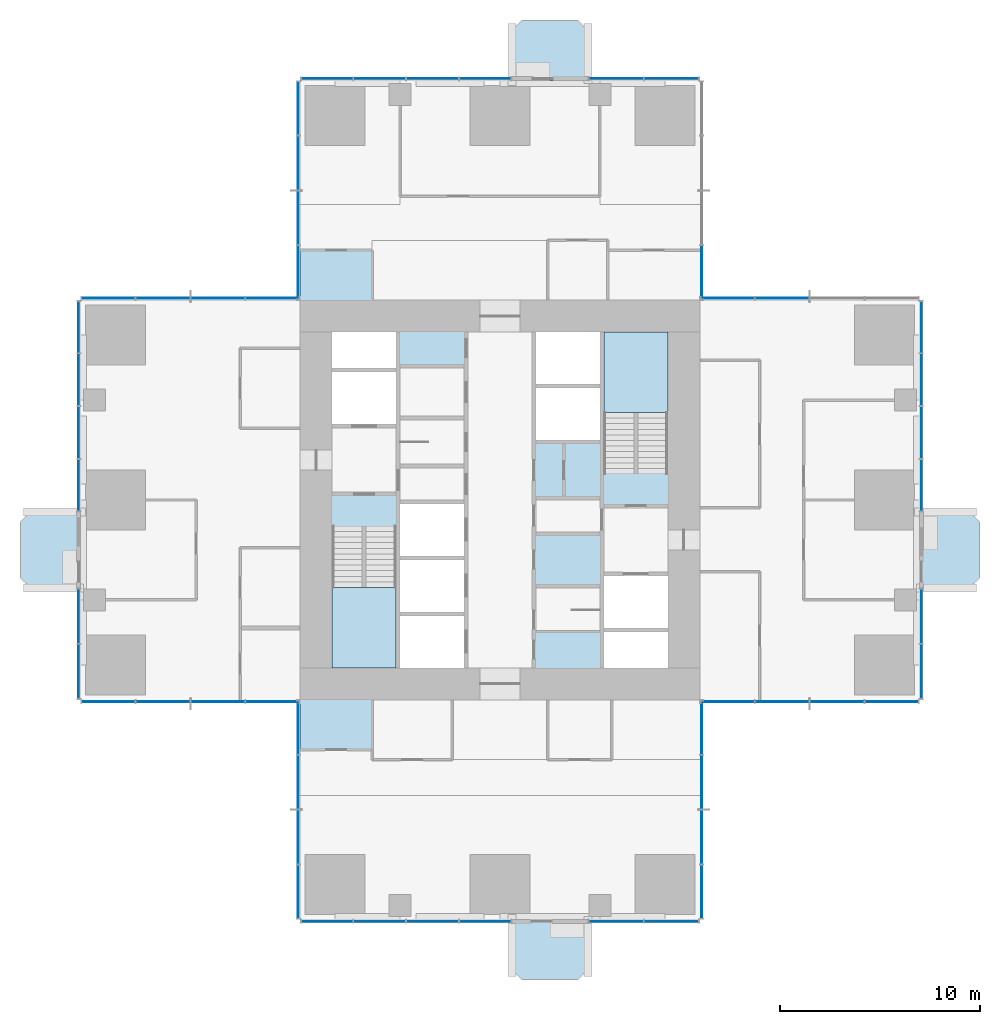
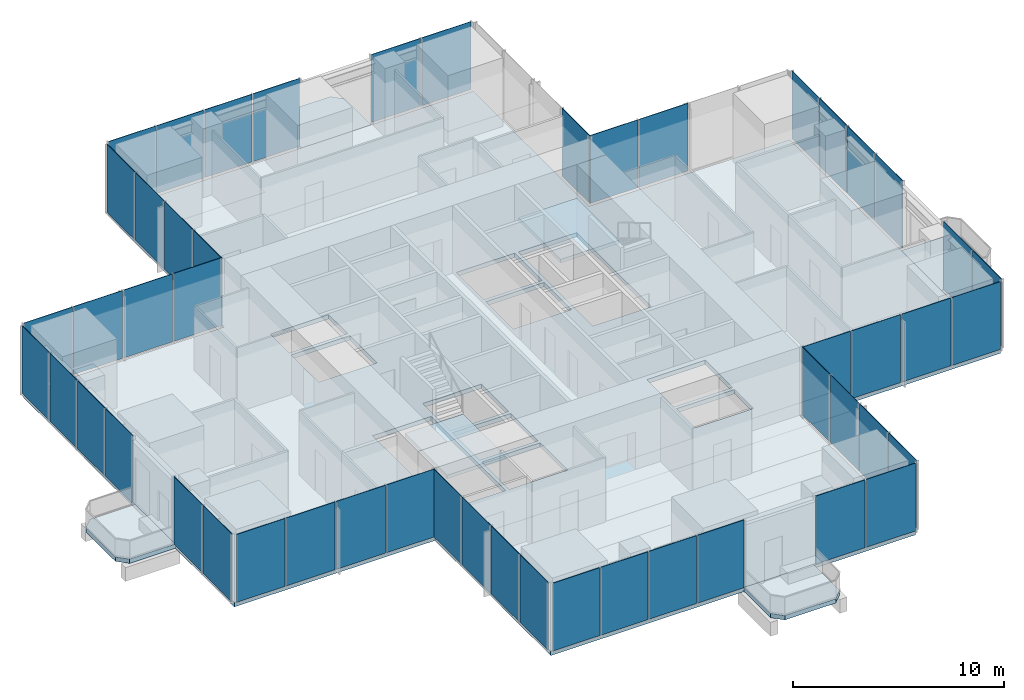
# One storey, part 7 of 13: 51 plates, 7 slabs, 18 elements without a shape of their own.
"""IFC4 building model written with IfcOpenShell, lengths in metres."""

from ifc_helpers import new_model, si_unit, direction, frame, origin, origin_2d, place, context, subcontext, project, spatial, polyline, rectangle, outline, extrude, material, layer, layer_set, type_object, element, aggregate, save


model = new_model("IFC4")

# Units and contexts
model_context = context("Model", 3, precision=1e-05, world=origin(), true_north=direction((0.0, 1.0)))
body_context = subcontext(model_context, "Body", "Model", "MODEL_VIEW")
ifc_project = project(units=[si_unit("LENGTHUNIT", "METRE"), si_unit("AREAUNIT", "SQUARE_METRE"), si_unit("VOLUMEUNIT", "CUBIC_METRE"), si_unit("PLANEANGLEUNIT", "RADIAN"), si_unit("MASSUNIT", "GRAM", prefix="KILO")], contexts=[model_context])

# Site, building, storey
site_placement = place(None, origin())
site = spatial("IfcSite", under=ifc_project, at=site_placement, CompositionType="ELEMENT")
building_placement = place(site_placement, origin())
building = spatial("IfcBuilding", under=site, at=building_placement, Name="Svetlomir Tower", CompositionType="ELEMENT")
storey_placement = place(building_placement, frame((0.0, 0.0, 136.5)))
storey = spatial("IfcBuildingStorey", under=building, at=storey_placement, Name="L32", CompositionType="ELEMENT", Elevation=136.5)

# Slabs
ifc_material_1 = material(Name="Concrete C60/75", Category="concrete")
ifc_layer_1 = layer(ifc_material_1, 0.25)
ifc_layer_set_1 = layer_set([ifc_layer_1], Name="Concrete C60/75")
slab_type_1 = type_object("IfcSlabType", Name="BALCONY SLAB 250", PredefinedType="FLOOR", material=ifc_layer_set_1)
slab_1_placement = place(storey_placement, frame((0.0, 0.0, -0.25)))
element("IfcSlab", 1, at=slab_1_placement, inside=storey, type_object=slab_type_1, Name="L32 S planted balcony", PredefinedType="FLOOR", context=body_context, shape_type="SweptSolid", body=[
    extrude(outline(polyline([(21.60009765625, -2.5), (22.10009765625, -3.0), (24.89990234375, -3.0), (25.39990234375, -2.5), (25.39990234375, 0.0), (21.60009765625, 0.0), (21.60009765625, -2.5)])), origin(), (0.0, 0.0, 1.0), 0.25),
])
slab_2_placement = place(storey_placement, frame((0.0, 0.0, -0.25)))
element("IfcSlab", 2, at=slab_2_placement, inside=storey, type_object=slab_type_1, Name="L32 E planted balcony", PredefinedType="FLOOR", context=body_context, shape_type="SweptSolid", body=[
    extrude(outline(polyline([(42.0, 16.60009765625), (44.5, 16.60009765625), (45.0, 17.10009765625), (45.0, 19.89990234375), (44.5, 20.39990234375), (42.0, 20.39990234375), (42.0, 16.60009765625)])), origin(), (0.0, 0.0, 1.0), 0.25),
])
slab_3_placement = place(storey_placement, frame((0.0, 0.0, -0.25)))
element("IfcSlab", 3, at=slab_3_placement, inside=storey, type_object=slab_type_1, Name="L32 N planted balcony", PredefinedType="FLOOR", context=body_context, shape_type="SweptSolid", body=[
    extrude(outline(polyline([(21.60009765625, 42.0), (25.39990234375, 42.0), (25.39990234375, 44.5), (24.89990234375, 45.0), (22.10009765625, 45.0), (21.60009765625, 44.5), (21.60009765625, 42.0)])), origin(), (0.0, 0.0, 1.0), 0.25),
])
slab_4_placement = place(storey_placement, frame((0.0, 0.0, -0.25)))
element("IfcSlab", 4, at=slab_4_placement, inside=storey, type_object=slab_type_1, Name="L32 W planted balcony", PredefinedType="FLOOR", context=body_context, shape_type="SweptSolid", body=[
    extrude(outline(polyline([(-2.5, 16.60009765625), (0.0, 16.60009765625), (0.0, 20.39990234375), (-2.5, 20.39990234375), (-3.0, 19.89990234375), (-3.0, 17.10009765625), (-2.5, 16.60009765625)])), origin(), (0.0, 0.0, 1.0), 0.25),
])

# Curtain wall, plates
ifc_material_2 = material(Name="Bronze anodised aluminium curtain wall", Category="aluminium")
curtain_wall_type = type_object("IfcCurtainWallType", Name="CURTAIN WALL CW1 TOWER OFFICE", PredefinedType="NOTDEFINED", material=ifc_material_2)
curtain_wall_1_placement = place(storey_placement, origin())
curtain_wall_1 = element("IfcCurtainWall", 5, at=curtain_wall_1_placement, inside=storey, type_object=curtain_wall_type, Name="Curtain wall CW1 L32", PredefinedType="NOTDEFINED")
ifc_material_3 = material(Name="Tinted double glazed unit", Category="glass")
ifc_layer_2 = layer(ifc_material_3, 0.031982421875)
ifc_layer_set_2 = layer_set([ifc_layer_2], Name="Tinted double glazed unit")
plate_type = type_object("IfcPlateType", Name="CW1 GLAZED PANEL 32", PredefinedType="CURTAIN_PANEL", material=ifc_layer_set_2)
plate_1_placement = place(storey_placement, frame((12.34130859375, -0.10009765625, 0.06494140625), z_axis=(0.0, 0.0, 1.0), x_axis=(1.0, 0.0, 0.0)))
plate_1 = element("IfcPlate", 6, at=plate_1_placement, type_object=plate_type, Name="CW1 panel 1.1", PredefinedType="CURTAIN_PANEL", context=body_context, shape_type="SweptSolid", body=[
    extrude(rectangle(XDim=2.552490234375, YDim=0.031982421875, at=origin_2d()), origin(), (0.0, 0.0, 1.0), 3.93505859375),
])
plate_2_placement = place(storey_placement, frame((14.97509765625, -0.10009765625, 0.06494140625), z_axis=(0.0, 0.0, 1.0), x_axis=(1.0, 0.0, 0.0)))
plate_2 = element("IfcPlate", 7, at=plate_2_placement, type_object=plate_type, Name="CW1 panel 2.1", PredefinedType="CURTAIN_PANEL", context=body_context, shape_type="SweptSolid", body=[
    extrude(rectangle(XDim=2.5849609375, YDim=0.031982421875, at=origin_2d()), origin(), (0.0, 0.0, 1.0), 3.93505859375),
])
plate_3_placement = place(storey_placement, frame((17.625, -0.10009765625, 0.06494140625), z_axis=(0.0, 0.0, 1.0), x_axis=(1.0, 0.0, 0.0)))
plate_3 = element("IfcPlate", 8, at=plate_3_placement, type_object=plate_type, Name="CW1 panel 3.1", PredefinedType="CURTAIN_PANEL", context=body_context, shape_type="SweptSolid", body=[
    extrude(rectangle(XDim=2.5849609375, YDim=0.031982421875, at=origin_2d()), origin(), (0.0, 0.0, 1.0), 3.93505859375),
])
plate_4_placement = place(storey_placement, frame((20.2587890625, -0.10009765625, 0.06494140625), z_axis=(0.0, 0.0, 1.0), x_axis=(1.0, 0.0, 0.0)))
plate_4 = element("IfcPlate", 9, at=plate_4_placement, type_object=plate_type, Name="CW1 panel 4.1", PredefinedType="CURTAIN_PANEL", context=body_context, shape_type="SweptSolid", body=[
    extrude(rectangle(XDim=2.552490234375, YDim=0.031982421875, at=origin_2d()), origin(), (0.0, 0.0, 1.0), 3.93505859375),
])
aggregate(curtain_wall_1, [plate_1, plate_2, plate_3, plate_4])

curtain_wall_2_placement = place(storey_placement, origin())
curtain_wall_2 = element("IfcCurtainWall", 10, at=curtain_wall_2_placement, inside=storey, type_object=curtain_wall_type, Name="Curtain wall CW1 L32", PredefinedType="NOTDEFINED")
plate_5_placement = place(storey_placement, frame((26.816162109375, -0.10009765625, 0.06494140625), z_axis=(0.0, 0.0, 1.0), x_axis=(1.0, 0.0, 0.0)))
plate_5 = element("IfcPlate", 11, at=plate_5_placement, type_object=plate_type, Name="CW1 panel 1.1", PredefinedType="CURTAIN_PANEL", context=body_context, shape_type="SweptSolid", body=[
    extrude(rectangle(XDim=2.702392578125, YDim=0.031982421875, at=origin_2d()), origin(), (0.0, 0.0, 1.0), 3.93505859375),
])
plate_6_placement = place(storey_placement, frame((29.583740234375, -0.10009765625, 0.06494140625), z_axis=(0.0, 0.0, 1.0), x_axis=(1.0, 0.0, 0.0)))
plate_6 = element("IfcPlate", 12, at=plate_6_placement, type_object=plate_type, Name="CW1 panel 2.1", PredefinedType="CURTAIN_PANEL", context=body_context, shape_type="SweptSolid", body=[
    extrude(rectangle(XDim=2.702392578125, YDim=0.031982421875, at=origin_2d()), origin(), (0.0, 0.0, 1.0), 3.93505859375),
])
aggregate(curtain_wall_2, [plate_5, plate_6])

curtain_wall_3_placement = place(storey_placement, origin())
curtain_wall_3 = element("IfcCurtainWall", 13, at=curtain_wall_3_placement, inside=storey, type_object=curtain_wall_type, Name="Curtain wall CW1 L32", PredefinedType="NOTDEFINED")
plate_7_placement = place(storey_placement, frame((31.10009765625, 1.391357421875, 0.06494140625), z_axis=(0.0, 0.0, 1.0), x_axis=(0.0, 1.0, 0.0)))
plate_7 = element("IfcPlate", 14, at=plate_7_placement, type_object=plate_type, Name="CW1 panel 1.1", PredefinedType="CURTAIN_PANEL", context=body_context, shape_type="SweptSolid", body=[
    extrude(rectangle(XDim=2.652587890625, YDim=0.031982421875, at=origin_2d()), origin(), (0.0, 0.0, 1.0), 3.93505859375),
])
plate_8_placement = place(storey_placement, frame((31.10009765625, 4.125, 0.06494140625), z_axis=(0.0, 0.0, 1.0), x_axis=(0.0, 1.0, 0.0)))
plate_8 = element("IfcPlate", 15, at=plate_8_placement, type_object=plate_type, Name="CW1 panel 2.1", PredefinedType="CURTAIN_PANEL", context=body_context, shape_type="SweptSolid", body=[
    extrude(rectangle(XDim=2.68505859375, YDim=0.031982421875, at=origin_2d()), origin(), (0.0, 0.0, 1.0), 3.93505859375),
])
plate_9_placement = place(storey_placement, frame((31.10009765625, 6.875, 0.06494140625), z_axis=(0.0, 0.0, 1.0), x_axis=(0.0, 1.0, 0.0)))
plate_9 = element("IfcPlate", 16, at=plate_9_placement, type_object=plate_type, Name="CW1 panel 3.1", PredefinedType="CURTAIN_PANEL", context=body_context, shape_type="SweptSolid", body=[
    extrude(rectangle(XDim=2.68505859375, YDim=0.031982421875, at=origin_2d()), origin(), (0.0, 0.0, 1.0), 3.93505859375),
])
plate_10_placement = place(storey_placement, frame((31.10009765625, 9.608642578125, 0.06494140625), z_axis=(0.0, 0.0, 1.0), x_axis=(0.0, 1.0, 0.0)))
plate_10 = element("IfcPlate", 17, at=plate_10_placement, type_object=plate_type, Name="CW1 panel 4.1", PredefinedType="CURTAIN_PANEL", context=body_context, shape_type="SweptSolid", body=[
    extrude(rectangle(XDim=2.652587890625, YDim=0.031982421875, at=origin_2d()), origin(), (0.0, 0.0, 1.0), 3.93505859375),
])
aggregate(curtain_wall_3, [plate_7, plate_8, plate_9, plate_10])

curtain_wall_4_placement = place(storey_placement, origin())
curtain_wall_4 = element("IfcCurtainWall", 18, at=curtain_wall_4_placement, inside=storey, type_object=curtain_wall_type, Name="Curtain wall CW1 L32", PredefinedType="NOTDEFINED")
plate_11_placement = place(storey_placement, frame((32.391357421875, 10.89990234375, 0.06494140625), z_axis=(0.0, 0.0, 1.0), x_axis=(1.0, 0.0, 0.0)))
plate_11 = element("IfcPlate", 19, at=plate_11_placement, type_object=plate_type, Name="CW1 panel 1.1", PredefinedType="CURTAIN_PANEL", context=body_context, shape_type="SweptSolid", body=[
    extrude(rectangle(XDim=2.652587890625, YDim=0.031982421875, at=origin_2d()), origin(), (0.0, 0.0, 1.0), 3.93505859375),
])
plate_12_placement = place(storey_placement, frame((35.125, 10.89990234375, 0.06494140625), z_axis=(0.0, 0.0, 1.0), x_axis=(1.0, 0.0, 0.0)))
plate_12 = element("IfcPlate", 20, at=plate_12_placement, type_object=plate_type, Name="CW1 panel 2.1", PredefinedType="CURTAIN_PANEL", context=body_context, shape_type="SweptSolid", body=[
    extrude(rectangle(XDim=2.68505859375, YDim=0.031982421875, at=origin_2d()), origin(), (0.0, 0.0, 1.0), 3.93505859375),
])
plate_13_placement = place(storey_placement, frame((37.875, 10.89990234375, 0.06494140625), z_axis=(0.0, 0.0, 1.0), x_axis=(1.0, 0.0, 0.0)))
plate_13 = element("IfcPlate", 21, at=plate_13_placement, type_object=plate_type, Name="CW1 panel 3.1", PredefinedType="CURTAIN_PANEL", context=body_context, shape_type="SweptSolid", body=[
    extrude(rectangle(XDim=2.68505859375, YDim=0.031982421875, at=origin_2d()), origin(), (0.0, 0.0, 1.0), 3.93505859375),
])
plate_14_placement = place(storey_placement, frame((40.608642578125, 10.89990234375, 0.06494140625), z_axis=(0.0, 0.0, 1.0), x_axis=(1.0, 0.0, 0.0)))
plate_14 = element("IfcPlate", 22, at=plate_14_placement, type_object=plate_type, Name="CW1 panel 4.1", PredefinedType="CURTAIN_PANEL", context=body_context, shape_type="SweptSolid", body=[
    extrude(rectangle(XDim=2.652587890625, YDim=0.031982421875, at=origin_2d()), origin(), (0.0, 0.0, 1.0), 3.93505859375),
])
aggregate(curtain_wall_4, [plate_11, plate_12, plate_13, plate_14])

curtain_wall_5_placement = place(storey_placement, origin())
curtain_wall_5 = element("IfcCurtainWall", 23, at=curtain_wall_5_placement, inside=storey, type_object=curtain_wall_type, Name="Curtain wall CW1 L32", PredefinedType="NOTDEFINED")
plate_15_placement = place(storey_placement, frame((42.10009765625, 12.416259765625, 0.06494140625), z_axis=(0.0, 0.0, 1.0), x_axis=(0.0, 1.0, 0.0)))
plate_15 = element("IfcPlate", 24, at=plate_15_placement, type_object=plate_type, Name="CW1 panel 1.1", PredefinedType="CURTAIN_PANEL", context=body_context, shape_type="SweptSolid", body=[
    extrude(rectangle(XDim=2.702392578125, YDim=0.031982421875, at=origin_2d()), origin(), (0.0, 0.0, 1.0), 3.93505859375),
])
plate_16_placement = place(storey_placement, frame((42.10009765625, 15.183837890625, 0.06494140625), z_axis=(0.0, 0.0, 1.0), x_axis=(0.0, 1.0, 0.0)))
plate_16 = element("IfcPlate", 25, at=plate_16_placement, type_object=plate_type, Name="CW1 panel 2.1", PredefinedType="CURTAIN_PANEL", context=body_context, shape_type="SweptSolid", body=[
    extrude(rectangle(XDim=2.702392578125, YDim=0.031982421875, at=origin_2d()), origin(), (0.0, 0.0, 1.0), 3.93505859375),
])
aggregate(curtain_wall_5, [plate_15, plate_16])

curtain_wall_6_placement = place(storey_placement, origin())
curtain_wall_6 = element("IfcCurtainWall", 26, at=curtain_wall_6_placement, inside=storey, type_object=curtain_wall_type, Name="Curtain wall CW1 L32", PredefinedType="NOTDEFINED")
plate_17_placement = place(storey_placement, frame((42.10009765625, 21.7412109375, 0.06494140625), z_axis=(0.0, 0.0, 1.0), x_axis=(0.0, 1.0, 0.0)))
plate_17 = element("IfcPlate", 27, at=plate_17_placement, type_object=plate_type, Name="CW1 panel 1.1", PredefinedType="CURTAIN_PANEL", context=body_context, shape_type="SweptSolid", body=[
    extrude(rectangle(XDim=2.552490234375, YDim=0.031982421875, at=origin_2d()), origin(), (0.0, 0.0, 1.0), 3.93505859375),
])
plate_18_placement = place(storey_placement, frame((42.10009765625, 24.375, 0.06494140625), z_axis=(0.0, 0.0, 1.0), x_axis=(0.0, 1.0, 0.0)))
plate_18 = element("IfcPlate", 28, at=plate_18_placement, type_object=plate_type, Name="CW1 panel 2.1", PredefinedType="CURTAIN_PANEL", context=body_context, shape_type="SweptSolid", body=[
    extrude(rectangle(XDim=2.5849609375, YDim=0.031982421875, at=origin_2d()), origin(), (0.0, 0.0, 1.0), 3.93505859375),
])
plate_19_placement = place(storey_placement, frame((42.10009765625, 27.02490234375, 0.06494140625), z_axis=(0.0, 0.0, 1.0), x_axis=(0.0, 1.0, 0.0)))
plate_19 = element("IfcPlate", 29, at=plate_19_placement, type_object=plate_type, Name="CW1 panel 3.1", PredefinedType="CURTAIN_PANEL", context=body_context, shape_type="SweptSolid", body=[
    extrude(rectangle(XDim=2.5849609375, YDim=0.031982421875, at=origin_2d()), origin(), (0.0, 0.0, 1.0), 3.93505859375),
])
plate_20_placement = place(storey_placement, frame((42.10009765625, 29.65869140625, 0.06494140625), z_axis=(0.0, 0.0, 1.0), x_axis=(0.0, 1.0, 0.0)))
plate_20 = element("IfcPlate", 30, at=plate_20_placement, type_object=plate_type, Name="CW1 panel 4.1", PredefinedType="CURTAIN_PANEL", context=body_context, shape_type="SweptSolid", body=[
    extrude(rectangle(XDim=2.552490234375, YDim=0.031982421875, at=origin_2d()), origin(), (0.0, 0.0, 1.0), 3.93505859375),
])
aggregate(curtain_wall_6, [plate_17, plate_18, plate_19, plate_20])

curtain_wall_7_placement = place(storey_placement, origin())
curtain_wall_7 = element("IfcCurtainWall", 31, at=curtain_wall_7_placement, inside=storey, type_object=curtain_wall_type, Name="Curtain wall CW1 L32", PredefinedType="NOTDEFINED")
plate_21_placement = place(storey_placement, frame((35.125, 31.10009765625, 0.06494140625), z_axis=(0.0, 0.0, 1.0), x_axis=(-1.0, 0.0, 0.0)))
plate_21 = element("IfcPlate", 32, at=plate_21_placement, type_object=plate_type, Name="CW1 panel 3.1", PredefinedType="CURTAIN_PANEL", context=body_context, shape_type="SweptSolid", body=[
    extrude(rectangle(XDim=2.68505859375, YDim=0.031982421875, at=origin_2d()), origin(), (0.0, 0.0, 1.0), 3.93505859375),
])
plate_22_placement = place(storey_placement, frame((32.391357421875, 31.10009765625, 0.06494140625), z_axis=(0.0, 0.0, 1.0), x_axis=(-1.0, 0.0, 0.0)))
plate_22 = element("IfcPlate", 33, at=plate_22_placement, type_object=plate_type, Name="CW1 panel 4.1", PredefinedType="CURTAIN_PANEL", context=body_context, shape_type="SweptSolid", body=[
    extrude(rectangle(XDim=2.652587890625, YDim=0.031982421875, at=origin_2d()), origin(), (0.0, 0.0, 1.0), 3.93505859375),
])
aggregate(curtain_wall_7, [plate_21, plate_22])

# Curtain wall, plate
curtain_wall_8_placement = place(storey_placement, origin())
curtain_wall_8 = element("IfcCurtainWall", 34, at=curtain_wall_8_placement, inside=storey, type_object=curtain_wall_type, Name="Curtain wall CW1 L32", PredefinedType="NOTDEFINED")
plate_23_placement = place(storey_placement, frame((31.10009765625, 32.391357421875, 0.06494140625), z_axis=(0.0, 0.0, 1.0), x_axis=(0.0, 1.0, 0.0)))
plate_23 = element("IfcPlate", 35, at=plate_23_placement, type_object=plate_type, Name="CW1 panel 1.1", PredefinedType="CURTAIN_PANEL", context=body_context, shape_type="SweptSolid", body=[
    extrude(rectangle(XDim=2.652587890625, YDim=0.031982421875, at=origin_2d()), origin(), (0.0, 0.0, 1.0), 3.93505859375),
])
aggregate(curtain_wall_8, [plate_23])

# Curtain wall, plates
curtain_wall_9_placement = place(storey_placement, origin())
curtain_wall_9 = element("IfcCurtainWall", 36, at=curtain_wall_9_placement, inside=storey, type_object=curtain_wall_type, Name="Curtain wall CW1 L32", PredefinedType="NOTDEFINED")
plate_24_placement = place(storey_placement, frame((29.583740234375, 42.10009765625, 0.06494140625), z_axis=(0.0, 0.0, 1.0), x_axis=(-1.0, 0.0, 0.0)))
plate_24 = element("IfcPlate", 37, at=plate_24_placement, type_object=plate_type, Name="CW1 panel 1.1", PredefinedType="CURTAIN_PANEL", context=body_context, shape_type="SweptSolid", body=[
    extrude(rectangle(XDim=2.702392578125, YDim=0.031982421875, at=origin_2d()), origin(), (0.0, 0.0, 1.0), 3.93505859375),
])
plate_25_placement = place(storey_placement, frame((26.816162109375, 42.10009765625, 0.06494140625), z_axis=(0.0, 0.0, 1.0), x_axis=(-1.0, 0.0, 0.0)))
plate_25 = element("IfcPlate", 38, at=plate_25_placement, type_object=plate_type, Name="CW1 panel 2.1", PredefinedType="CURTAIN_PANEL", context=body_context, shape_type="SweptSolid", body=[
    extrude(rectangle(XDim=2.702392578125, YDim=0.031982421875, at=origin_2d()), origin(), (0.0, 0.0, 1.0), 3.93505859375),
])
aggregate(curtain_wall_9, [plate_24, plate_25])

curtain_wall_10_placement = place(storey_placement, origin())
curtain_wall_10 = element("IfcCurtainWall", 39, at=curtain_wall_10_placement, inside=storey, type_object=curtain_wall_type, Name="Curtain wall CW1 L32", PredefinedType="NOTDEFINED")
plate_26_placement = place(storey_placement, frame((20.2587890625, 42.10009765625, 0.06494140625), z_axis=(0.0, 0.0, 1.0), x_axis=(-1.0, 0.0, 0.0)))
plate_26 = element("IfcPlate", 40, at=plate_26_placement, type_object=plate_type, Name="CW1 panel 1.1", PredefinedType="CURTAIN_PANEL", context=body_context, shape_type="SweptSolid", body=[
    extrude(rectangle(XDim=2.552490234375, YDim=0.031982421875, at=origin_2d()), origin(), (0.0, 0.0, 1.0), 3.93505859375),
])
plate_27_placement = place(storey_placement, frame((17.625, 42.10009765625, 0.06494140625), z_axis=(0.0, 0.0, 1.0), x_axis=(-1.0, 0.0, 0.0)))
plate_27 = element("IfcPlate", 41, at=plate_27_placement, type_object=plate_type, Name="CW1 panel 2.1", PredefinedType="CURTAIN_PANEL", context=body_context, shape_type="SweptSolid", body=[
    extrude(rectangle(XDim=2.5849609375, YDim=0.031982421875, at=origin_2d()), origin(), (0.0, 0.0, 1.0), 3.93505859375),
])
plate_28_placement = place(storey_placement, frame((14.97509765625, 42.10009765625, 0.06494140625), z_axis=(0.0, 0.0, 1.0), x_axis=(-1.0, 0.0, 0.0)))
plate_28 = element("IfcPlate", 42, at=plate_28_placement, type_object=plate_type, Name="CW1 panel 3.1", PredefinedType="CURTAIN_PANEL", context=body_context, shape_type="SweptSolid", body=[
    extrude(rectangle(XDim=2.5849609375, YDim=0.031982421875, at=origin_2d()), origin(), (0.0, 0.0, 1.0), 3.93505859375),
])
plate_29_placement = place(storey_placement, frame((12.34130859375, 42.10009765625, 0.06494140625), z_axis=(0.0, 0.0, 1.0), x_axis=(-1.0, 0.0, 0.0)))
plate_29 = element("IfcPlate", 43, at=plate_29_placement, type_object=plate_type, Name="CW1 panel 4.1", PredefinedType="CURTAIN_PANEL", context=body_context, shape_type="SweptSolid", body=[
    extrude(rectangle(XDim=2.552490234375, YDim=0.031982421875, at=origin_2d()), origin(), (0.0, 0.0, 1.0), 3.93505859375),
])
aggregate(curtain_wall_10, [plate_26, plate_27, plate_28, plate_29])

curtain_wall_11_placement = place(storey_placement, origin())
curtain_wall_11 = element("IfcCurtainWall", 44, at=curtain_wall_11_placement, inside=storey, type_object=curtain_wall_type, Name="Curtain wall CW1 L32", PredefinedType="NOTDEFINED")
plate_30_placement = place(storey_placement, frame((10.89990234375, 40.608642578125, 0.06494140625), z_axis=(0.0, 0.0, 1.0), x_axis=(0.0, -1.0, 0.0)))
plate_30 = element("IfcPlate", 45, at=plate_30_placement, type_object=plate_type, Name="CW1 panel 1.1", PredefinedType="CURTAIN_PANEL", context=body_context, shape_type="SweptSolid", body=[
    extrude(rectangle(XDim=2.652587890625, YDim=0.031982421875, at=origin_2d()), origin(), (0.0, 0.0, 1.0), 3.93505859375),
])
plate_31_placement = place(storey_placement, frame((10.89990234375, 37.875, 0.06494140625), z_axis=(0.0, 0.0, 1.0), x_axis=(0.0, -1.0, 0.0)))
plate_31 = element("IfcPlate", 46, at=plate_31_placement, type_object=plate_type, Name="CW1 panel 2.1", PredefinedType="CURTAIN_PANEL", context=body_context, shape_type="SweptSolid", body=[
    extrude(rectangle(XDim=2.68505859375, YDim=0.031982421875, at=origin_2d()), origin(), (0.0, 0.0, 1.0), 3.93505859375),
])
plate_32_placement = place(storey_placement, frame((10.89990234375, 35.125, 0.06494140625), z_axis=(0.0, 0.0, 1.0), x_axis=(0.0, -1.0, 0.0)))
plate_32 = element("IfcPlate", 47, at=plate_32_placement, type_object=plate_type, Name="CW1 panel 3.1", PredefinedType="CURTAIN_PANEL", context=body_context, shape_type="SweptSolid", body=[
    extrude(rectangle(XDim=2.68505859375, YDim=0.031982421875, at=origin_2d()), origin(), (0.0, 0.0, 1.0), 3.93505859375),
])
plate_33_placement = place(storey_placement, frame((10.89990234375, 32.391357421875, 0.06494140625), z_axis=(0.0, 0.0, 1.0), x_axis=(0.0, -1.0, 0.0)))
plate_33 = element("IfcPlate", 48, at=plate_33_placement, type_object=plate_type, Name="CW1 panel 4.1", PredefinedType="CURTAIN_PANEL", context=body_context, shape_type="SweptSolid", body=[
    extrude(rectangle(XDim=2.652587890625, YDim=0.031982421875, at=origin_2d()), origin(), (0.0, 0.0, 1.0), 3.93505859375),
])
aggregate(curtain_wall_11, [plate_30, plate_31, plate_32, plate_33])

curtain_wall_12_placement = place(storey_placement, origin())
curtain_wall_12 = element("IfcCurtainWall", 49, at=curtain_wall_12_placement, inside=storey, type_object=curtain_wall_type, Name="Curtain wall CW1 L32", PredefinedType="NOTDEFINED")
plate_34_placement = place(storey_placement, frame((9.608642578125, 31.10009765625, 0.06494140625), z_axis=(0.0, 0.0, 1.0), x_axis=(-1.0, 0.0, 0.0)))
plate_34 = element("IfcPlate", 50, at=plate_34_placement, type_object=plate_type, Name="CW1 panel 1.1", PredefinedType="CURTAIN_PANEL", context=body_context, shape_type="SweptSolid", body=[
    extrude(rectangle(XDim=2.652587890625, YDim=0.031982421875, at=origin_2d()), origin(), (0.0, 0.0, 1.0), 3.93505859375),
])
plate_35_placement = place(storey_placement, frame((6.875, 31.10009765625, 0.06494140625), z_axis=(0.0, 0.0, 1.0), x_axis=(-1.0, 0.0, 0.0)))
plate_35 = element("IfcPlate", 51, at=plate_35_placement, type_object=plate_type, Name="CW1 panel 2.1", PredefinedType="CURTAIN_PANEL", context=body_context, shape_type="SweptSolid", body=[
    extrude(rectangle(XDim=2.68505859375, YDim=0.031982421875, at=origin_2d()), origin(), (0.0, 0.0, 1.0), 3.93505859375),
])
plate_36_placement = place(storey_placement, frame((4.125, 31.10009765625, 0.06494140625), z_axis=(0.0, 0.0, 1.0), x_axis=(-1.0, 0.0, 0.0)))
plate_36 = element("IfcPlate", 52, at=plate_36_placement, type_object=plate_type, Name="CW1 panel 3.1", PredefinedType="CURTAIN_PANEL", context=body_context, shape_type="SweptSolid", body=[
    extrude(rectangle(XDim=2.68505859375, YDim=0.031982421875, at=origin_2d()), origin(), (0.0, 0.0, 1.0), 3.93505859375),
])
plate_37_placement = place(storey_placement, frame((1.391357421875, 31.10009765625, 0.06494140625), z_axis=(0.0, 0.0, 1.0), x_axis=(-1.0, 0.0, 0.0)))
plate_37 = element("IfcPlate", 53, at=plate_37_placement, type_object=plate_type, Name="CW1 panel 4.1", PredefinedType="CURTAIN_PANEL", context=body_context, shape_type="SweptSolid", body=[
    extrude(rectangle(XDim=2.652587890625, YDim=0.031982421875, at=origin_2d()), origin(), (0.0, 0.0, 1.0), 3.93505859375),
])
aggregate(curtain_wall_12, [plate_34, plate_35, plate_36, plate_37])

curtain_wall_13_placement = place(storey_placement, origin())
curtain_wall_13 = element("IfcCurtainWall", 54, at=curtain_wall_13_placement, inside=storey, type_object=curtain_wall_type, Name="Curtain wall CW1 L32", PredefinedType="NOTDEFINED")
plate_38_placement = place(storey_placement, frame((-0.10009765625, 29.65869140625, 0.06494140625), z_axis=(0.0, 0.0, 1.0), x_axis=(0.0, -1.0, 0.0)))
plate_38 = element("IfcPlate", 55, at=plate_38_placement, type_object=plate_type, Name="CW1 panel 1.1", PredefinedType="CURTAIN_PANEL", context=body_context, shape_type="SweptSolid", body=[
    extrude(rectangle(XDim=2.552490234375, YDim=0.031982421875, at=origin_2d()), origin(), (0.0, 0.0, 1.0), 3.93505859375),
])
plate_39_placement = place(storey_placement, frame((-0.10009765625, 27.02490234375, 0.06494140625), z_axis=(0.0, 0.0, 1.0), x_axis=(0.0, -1.0, 0.0)))
plate_39 = element("IfcPlate", 56, at=plate_39_placement, type_object=plate_type, Name="CW1 panel 2.1", PredefinedType="CURTAIN_PANEL", context=body_context, shape_type="SweptSolid", body=[
    extrude(rectangle(XDim=2.5849609375, YDim=0.031982421875, at=origin_2d()), origin(), (0.0, 0.0, 1.0), 3.93505859375),
])
plate_40_placement = place(storey_placement, frame((-0.10009765625, 24.375, 0.06494140625), z_axis=(0.0, 0.0, 1.0), x_axis=(0.0, -1.0, 0.0)))
plate_40 = element("IfcPlate", 57, at=plate_40_placement, type_object=plate_type, Name="CW1 panel 3.1", PredefinedType="CURTAIN_PANEL", context=body_context, shape_type="SweptSolid", body=[
    extrude(rectangle(XDim=2.5849609375, YDim=0.031982421875, at=origin_2d()), origin(), (0.0, 0.0, 1.0), 3.93505859375),
])
plate_41_placement = place(storey_placement, frame((-0.10009765625, 21.7412109375, 0.06494140625), z_axis=(0.0, 0.0, 1.0), x_axis=(0.0, -1.0, 0.0)))
plate_41 = element("IfcPlate", 58, at=plate_41_placement, type_object=plate_type, Name="CW1 panel 4.1", PredefinedType="CURTAIN_PANEL", context=body_context, shape_type="SweptSolid", body=[
    extrude(rectangle(XDim=2.552490234375, YDim=0.031982421875, at=origin_2d()), origin(), (0.0, 0.0, 1.0), 3.93505859375),
])
aggregate(curtain_wall_13, [plate_38, plate_39, plate_40, plate_41])

curtain_wall_14_placement = place(storey_placement, origin())
curtain_wall_14 = element("IfcCurtainWall", 59, at=curtain_wall_14_placement, inside=storey, type_object=curtain_wall_type, Name="Curtain wall CW1 L32", PredefinedType="NOTDEFINED")
plate_42_placement = place(storey_placement, frame((-0.10009765625, 15.183837890625, 0.06494140625), z_axis=(0.0, 0.0, 1.0), x_axis=(0.0, -1.0, 0.0)))
plate_42 = element("IfcPlate", 60, at=plate_42_placement, type_object=plate_type, Name="CW1 panel 1.1", PredefinedType="CURTAIN_PANEL", context=body_context, shape_type="SweptSolid", body=[
    extrude(rectangle(XDim=2.702392578125, YDim=0.031982421875, at=origin_2d()), origin(), (0.0, 0.0, 1.0), 3.93505859375),
])
plate_43_placement = place(storey_placement, frame((-0.10009765625, 12.416259765625, 0.06494140625), z_axis=(0.0, 0.0, 1.0), x_axis=(0.0, -1.0, 0.0)))
plate_43 = element("IfcPlate", 61, at=plate_43_placement, type_object=plate_type, Name="CW1 panel 2.1", PredefinedType="CURTAIN_PANEL", context=body_context, shape_type="SweptSolid", body=[
    extrude(rectangle(XDim=2.702392578125, YDim=0.031982421875, at=origin_2d()), origin(), (0.0, 0.0, 1.0), 3.93505859375),
])
aggregate(curtain_wall_14, [plate_42, plate_43])

curtain_wall_15_placement = place(storey_placement, origin())
curtain_wall_15 = element("IfcCurtainWall", 62, at=curtain_wall_15_placement, inside=storey, type_object=curtain_wall_type, Name="Curtain wall CW1 L32", PredefinedType="NOTDEFINED")
plate_44_placement = place(storey_placement, frame((1.391357421875, 10.89990234375, 0.06494140625), z_axis=(0.0, 0.0, 1.0), x_axis=(1.0, 0.0, 0.0)))
plate_44 = element("IfcPlate", 63, at=plate_44_placement, type_object=plate_type, Name="CW1 panel 1.1", PredefinedType="CURTAIN_PANEL", context=body_context, shape_type="SweptSolid", body=[
    extrude(rectangle(XDim=2.652587890625, YDim=0.031982421875, at=origin_2d()), origin(), (0.0, 0.0, 1.0), 3.93505859375),
])
plate_45_placement = place(storey_placement, frame((4.125, 10.89990234375, 0.06494140625), z_axis=(0.0, 0.0, 1.0), x_axis=(1.0, 0.0, 0.0)))
plate_45 = element("IfcPlate", 64, at=plate_45_placement, type_object=plate_type, Name="CW1 panel 2.1", PredefinedType="CURTAIN_PANEL", context=body_context, shape_type="SweptSolid", body=[
    extrude(rectangle(XDim=2.68505859375, YDim=0.031982421875, at=origin_2d()), origin(), (0.0, 0.0, 1.0), 3.93505859375),
])
plate_46_placement = place(storey_placement, frame((6.875, 10.89990234375, 0.06494140625), z_axis=(0.0, 0.0, 1.0), x_axis=(1.0, 0.0, 0.0)))
plate_46 = element("IfcPlate", 65, at=plate_46_placement, type_object=plate_type, Name="CW1 panel 3.1", PredefinedType="CURTAIN_PANEL", context=body_context, shape_type="SweptSolid", body=[
    extrude(rectangle(XDim=2.68505859375, YDim=0.031982421875, at=origin_2d()), origin(), (0.0, 0.0, 1.0), 3.93505859375),
])
plate_47_placement = place(storey_placement, frame((9.608642578125, 10.89990234375, 0.06494140625), z_axis=(0.0, 0.0, 1.0), x_axis=(1.0, 0.0, 0.0)))
plate_47 = element("IfcPlate", 66, at=plate_47_placement, type_object=plate_type, Name="CW1 panel 4.1", PredefinedType="CURTAIN_PANEL", context=body_context, shape_type="SweptSolid", body=[
    extrude(rectangle(XDim=2.652587890625, YDim=0.031982421875, at=origin_2d()), origin(), (0.0, 0.0, 1.0), 3.93505859375),
])
aggregate(curtain_wall_15, [plate_44, plate_45, plate_46, plate_47])

curtain_wall_16_placement = place(storey_placement, origin())
curtain_wall_16 = element("IfcCurtainWall", 67, at=curtain_wall_16_placement, inside=storey, type_object=curtain_wall_type, Name="Curtain wall CW1 L32", PredefinedType="NOTDEFINED")
plate_48_placement = place(storey_placement, frame((10.89990234375, 9.608642578125, 0.06494140625), z_axis=(0.0, 0.0, 1.0), x_axis=(0.0, -1.0, 0.0)))
plate_48 = element("IfcPlate", 68, at=plate_48_placement, type_object=plate_type, Name="CW1 panel 1.1", PredefinedType="CURTAIN_PANEL", context=body_context, shape_type="SweptSolid", body=[
    extrude(rectangle(XDim=2.652587890625, YDim=0.031982421875, at=origin_2d()), origin(), (0.0, 0.0, 1.0), 3.93505859375),
])
plate_49_placement = place(storey_placement, frame((10.89990234375, 6.875, 0.06494140625), z_axis=(0.0, 0.0, 1.0), x_axis=(0.0, -1.0, 0.0)))
plate_49 = element("IfcPlate", 69, at=plate_49_placement, type_object=plate_type, Name="CW1 panel 2.1", PredefinedType="CURTAIN_PANEL", context=body_context, shape_type="SweptSolid", body=[
    extrude(rectangle(XDim=2.68505859375, YDim=0.031982421875, at=origin_2d()), origin(), (0.0, 0.0, 1.0), 3.93505859375),
])
plate_50_placement = place(storey_placement, frame((10.89990234375, 4.125, 0.06494140625), z_axis=(0.0, 0.0, 1.0), x_axis=(0.0, -1.0, 0.0)))
plate_50 = element("IfcPlate", 70, at=plate_50_placement, type_object=plate_type, Name="CW1 panel 3.1", PredefinedType="CURTAIN_PANEL", context=body_context, shape_type="SweptSolid", body=[
    extrude(rectangle(XDim=2.68505859375, YDim=0.031982421875, at=origin_2d()), origin(), (0.0, 0.0, 1.0), 3.93505859375),
])
plate_51_placement = place(storey_placement, frame((10.89990234375, 1.391357421875, 0.06494140625), z_axis=(0.0, 0.0, 1.0), x_axis=(0.0, -1.0, 0.0)))
plate_51 = element("IfcPlate", 71, at=plate_51_placement, type_object=plate_type, Name="CW1 panel 4.1", PredefinedType="CURTAIN_PANEL", context=body_context, shape_type="SweptSolid", body=[
    extrude(rectangle(XDim=2.652587890625, YDim=0.031982421875, at=origin_2d()), origin(), (0.0, 0.0, 1.0), 3.93505859375),
])
aggregate(curtain_wall_16, [plate_48, plate_49, plate_50, plate_51])

# Slab
ifc_material_4 = material(Name="Concrete C60/75", Category="concrete")
ifc_layer_3 = layer(ifc_material_4, 0.25)
ifc_layer_set_3 = layer_set([ifc_layer_3], Name="Concrete C60/75")
slab_type_2 = type_object("IfcSlabType", Name="FLOOR SLAB 250", PredefinedType="FLOOR", material=ifc_layer_set_3)
slab_5_placement = place(storey_placement, frame((0.0, 0.0, -0.25)))
element("IfcSlab", 72, at=slab_5_placement, inside=storey, type_object=slab_type_2, Name="L32 floor slab", PredefinedType="FLOOR", context=body_context, shape_type="SweptSolid", body=[
    extrude(outline(polyline([(11.0, 0.0), (31.0, 0.0), (31.0, 11.0), (42.0, 11.0), (42.0, 31.0), (31.0, 31.0), (31.0, 42.0), (11.0, 42.0), (11.0, 31.0), (0.0, 31.0), (0.0, 11.0), (11.0, 11.0), (11.0, 0.0)]), holes=[polyline([(12.60009765625, 24.800048828125), (15.800048828125, 24.800048828125), (15.800048828125, 27.39990234375), (12.60009765625, 27.39990234375), (12.60009765625, 24.800048828125)]), polyline([(26.199951171875, 14.60009765625), (29.39990234375, 14.60009765625), (29.39990234375, 17.199951171875), (26.199951171875, 17.199951171875), (26.199951171875, 14.60009765625)]), polyline([(16.0, 12.60009765625), (19.199951171875, 12.60009765625), (19.199951171875, 15.199951171875), (16.0, 15.199951171875), (16.0, 12.60009765625)]), polyline([(16.0, 15.39990234375), (19.199951171875, 15.39990234375), (19.199951171875, 18.0), (16.0, 18.0), (16.0, 15.39990234375)]), polyline([(16.0, 18.199951171875), (19.199951171875, 18.199951171875), (19.199951171875, 20.800048828125), (16.0, 20.800048828125), (16.0, 18.199951171875)]), polyline([(22.800048828125, 24.0), (26.0, 24.0), (26.0, 26.60009765625), (22.800048828125, 26.60009765625), (22.800048828125, 24.0)]), polyline([(22.800048828125, 26.800048828125), (26.0, 26.800048828125), (26.0, 29.39990234375), (22.800048828125, 29.39990234375), (22.800048828125, 26.800048828125)]), polyline([(12.60009765625, 27.60009765625), (15.800048828125, 27.60009765625), (15.800048828125, 29.39990234375), (12.60009765625, 29.39990234375), (12.60009765625, 27.60009765625)]), polyline([(26.199951171875, 12.60009765625), (29.39990234375, 12.60009765625), (29.39990234375, 14.39990234375), (26.199951171875, 14.39990234375), (26.199951171875, 12.60009765625)]), polyline([(12.60009765625, 12.60009765625), (15.800048828125, 12.60009765625), (15.800048828125, 19.679931640625), (12.60009765625, 19.679931640625), (12.60009765625, 12.60009765625)]), polyline([(26.199951171875, 22.320068359375), (29.39990234375, 22.320068359375), (29.39990234375, 29.39990234375), (26.199951171875, 29.39990234375), (26.199951171875, 22.320068359375)])]), origin(), (0.0, 0.0, 1.0), 0.25),
])

# Stair, slab
ifc_material_5 = material(Name="Concrete C60/75", Category="concrete")
stair_type = type_object("IfcStairType", Name="EXIT STAIR 3200 RISE 4000", PredefinedType="HALF_TURN_STAIR", material=ifc_material_5)
stair_1_placement = place(storey_placement, origin())
stair_1 = element("IfcStair", 73, at=stair_1_placement, inside=storey, type_object=stair_type, Name="Stair S1 L32 to L33", PredefinedType="HALF_TURN_STAIR")
ifc_material_6 = material(Name="Concrete C60/75", Category="concrete")
ifc_layer_4 = layer(ifc_material_6, 0.199951171875)
ifc_layer_set_4 = layer_set([ifc_layer_4], Name="Concrete C60/75")
slab_type_3 = type_object("IfcSlabType", Name="STAIR LANDING 200", PredefinedType="LANDING", material=ifc_layer_set_4)
slab_6_placement = place(storey_placement, frame((0.0, 0.0, 1.800048828125)))
slab_6 = element("IfcSlab", 74, at=slab_6_placement, type_object=slab_type_3, Name="S1 landing 1", PredefinedType="LANDING", context=body_context, shape_type="SweptSolid", body=[
    extrude(outline(polyline([(12.60009765625, 12.60009765625), (15.800048828125, 12.60009765625), (15.800048828125, 16.6201171875), (12.60009765625, 16.6201171875), (12.60009765625, 12.60009765625)])), origin(), (0.0, 0.0, 1.0), 0.199951171875),
])
aggregate(stair_1, [slab_6])

stair_2_placement = place(storey_placement, origin())
stair_2 = element("IfcStair", 75, at=stair_2_placement, inside=storey, type_object=stair_type, Name="Stair S2 L32 to L33", PredefinedType="HALF_TURN_STAIR")
slab_7_placement = place(storey_placement, frame((0.0, 0.0, 1.800048828125)))
slab_7 = element("IfcSlab", 76, at=slab_7_placement, type_object=slab_type_3, Name="S2 landing 1", PredefinedType="LANDING", context=body_context, shape_type="SweptSolid", body=[
    extrude(outline(polyline([(26.199951171875, 25.3798828125), (29.39990234375, 25.3798828125), (29.39990234375, 29.39990234375), (26.199951171875, 29.39990234375), (26.199951171875, 25.3798828125)])), origin(), (0.0, 0.0, 1.0), 0.199951171875),
])
aggregate(stair_2, [slab_7])

save(model, "model.ifc")
